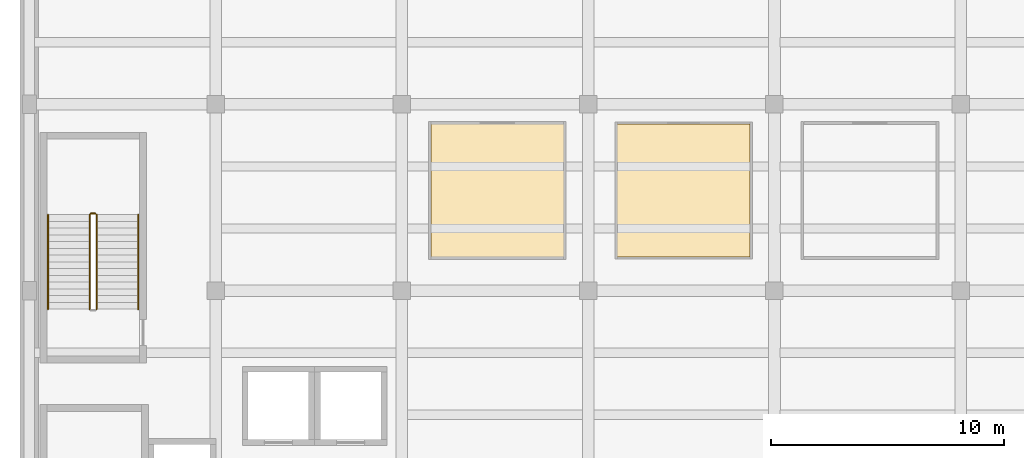
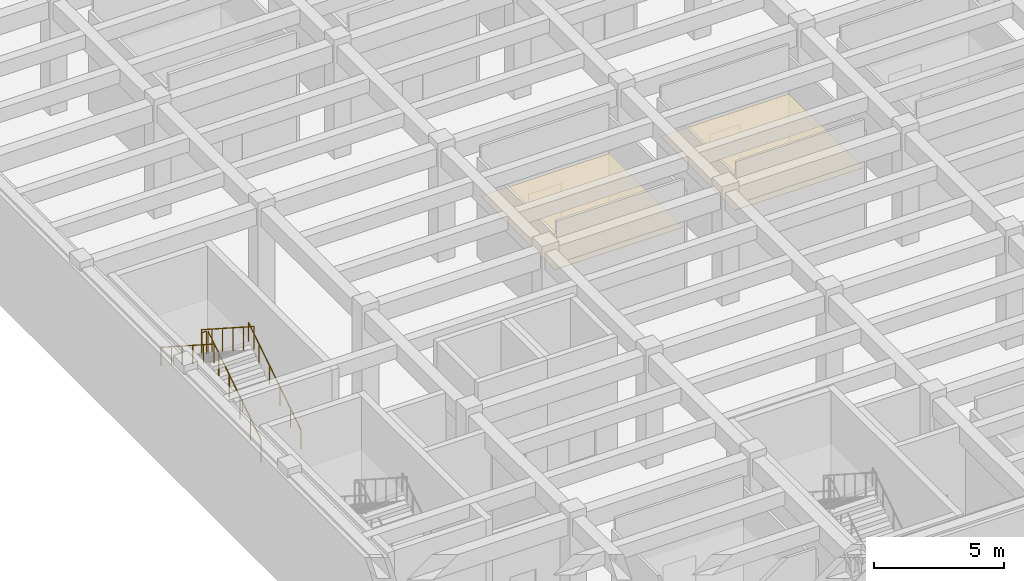
# One storey, part 13 of 19: 5 railings, 2 coverings.
"""IFC4 building model written with IfcOpenShell, lengths in metres."""

from ifc_helpers import new_model, si_unit, direction, frame, origin, origin_2d, place, context, subcontext, project, spatial, polyline, circle, outline, extrude, material, layer, layer_set, type_object, element, save


model = new_model("IFC4")

# Units and contexts
model_context = context("Model", 3, precision=1e-05, world=origin(), true_north=direction((0.0, 1.0)))
body_context = subcontext(model_context, "Body", "Model", "MODEL_VIEW")
ifc_project = project(units=[si_unit("LENGTHUNIT", "METRE"), si_unit("AREAUNIT", "SQUARE_METRE"), si_unit("VOLUMEUNIT", "CUBIC_METRE"), si_unit("PLANEANGLEUNIT", "RADIAN"), si_unit("MASSUNIT", "GRAM", prefix="KILO")], contexts=[model_context])

# Site, building, storey
site_placement = place(None, origin())
site = spatial("IfcSite", under=ifc_project, at=site_placement, CompositionType="ELEMENT")
building_placement = place(site_placement, origin())
building = spatial("IfcBuilding", under=site, at=building_placement, Name="Drelvath Fold Interchange", CompositionType="ELEMENT")
storey_placement = place(building_placement, frame((0.0, 0.0, -5.60009765625)))
storey = spatial("IfcBuildingStorey", under=building, at=storey_placement, Name="B1", CompositionType="ELEMENT", Elevation=-5.60009765625)

# Coverings
ifc_material_1 = material(Name="Perforated Aluminium Acoustic Ceiling", Category="aluminium")
ifc_layer = layer(ifc_material_1, 0.01806640625, Name="Perforated Aluminium Acoustic Ceiling")
ifc_layer_set = layer_set([ifc_layer], Name="Perforated Aluminium Acoustic Ceiling")
covering_type = type_object("IfcCoveringType", Name="CV-CEIL-AL18", PredefinedType="CEILING", material=ifc_layer_set)
covering_1_placement = place(storey_placement, frame((0.0, 0.0, 2.830078125)))
element("IfcCovering", 1, at=covering_1_placement, inside=storey, type_object=covering_type, Name="Mezzanine Convenience Retail Unit 1 acoustic ceiling", PredefinedType="CEILING", context=body_context, shape_type="SweptSolid", body=[
    extrude(outline(polyline([(21.2470703125, 28.447021484375), (26.952880859375, 28.447021484375), (26.952880859375, 34.153076171875), (21.2470703125, 34.153076171875), (21.2470703125, 28.447021484375)])), origin(), (0.0, 0.0, 1.0), 0.02001953125),
])
covering_2_placement = place(storey_placement, frame((0.0, 0.0, 2.830078125)))
element("IfcCovering", 2, at=covering_2_placement, inside=storey, type_object=covering_type, Name="Mezzanine Bakery and Coffee Kiosk acoustic ceiling", PredefinedType="CEILING", context=body_context, shape_type="SweptSolid", body=[
    extrude(outline(polyline([(29.239990234375, 28.43994140625), (34.9599609375, 28.43994140625), (34.9599609375, 34.159912109375), (29.239990234375, 34.159912109375), (29.239990234375, 28.43994140625)])), origin(), (0.0, 0.0, 1.0), 0.02001953125),
])

# Railings
ifc_material_2 = material(Name="Stainless Steel 316L", Category="steel")
railing_type_1 = type_object("IfcRailingType", Name="RL-GRD1100", PredefinedType="GUARDRAIL", material=ifc_material_2)
railing_1_placement = place(storey_placement, frame((6.889892578125, 26.199951171875, 0.186767578125)))
element("IfcRailing", 3, at=railing_1_placement, inside=storey, type_object=railing_type_1, Name="B1 ST-02 stair guard 1", PredefinedType="GUARDRAIL", context=body_context, shape_type="SweptSolid", body=[
    extrude(circle(Radius=0.02392578125, at=origin_2d()), frame((0.0, 0.0, 1.076171875), z_axis=(0.0, 0.840872768958, 0.541232839382), x_axis=(-1.0, 0.0, 0.0)), (0.0, 0.0, 1.0), 4.828369140625),
    extrude(circle(Radius=0.02099609375, at=origin_2d()), origin(), (0.0, 0.0, 1.0), 1.052001953125),
    extrude(circle(Radius=0.02099609375, at=origin_2d()), frame((0.0, 0.81201171875, 0.522705078125)), (0.0, 0.0, 1.0), 1.052001953125),
    extrude(circle(Radius=0.02099609375, at=origin_2d()), frame((0.0, 1.6240234375, 1.04541015625)), (0.0, 0.0, 1.0), 1.052001953125),
    extrude(circle(Radius=0.02099609375, at=origin_2d()), frame((0.0, 2.43603515625, 1.56787109375)), (0.0, 0.0, 1.0), 1.052001953125),
    extrude(circle(Radius=0.02099609375, at=origin_2d()), frame((0.0, 3.248046875, 2.090576171875)), (0.0, 0.0, 1.0), 1.052001953125),
    extrude(circle(Radius=0.02099609375, at=origin_2d()), frame((0.0, 4.06005859375, 2.61328125)), (0.0, 0.0, 1.0), 1.052001953125),
])
railing_2_placement = place(storey_placement, frame((6.840087890625, 30.31005859375, 2.800048828125)))
element("IfcRailing", 4, at=railing_2_placement, inside=storey, type_object=railing_type_1, Name="B1 ST-02 stair guard 2", PredefinedType="GUARDRAIL", context=body_context, shape_type="SweptSolid", body=[
    extrude(circle(Radius=0.02392578125, at=origin_2d()), frame((0.0, 0.0, 1.076171875), z_axis=(-1.0, 0.0, 0.0), x_axis=(0.0, -1.0, 0.0)), (0.0, 0.0, 1.0), 0.2001953125),
    extrude(circle(Radius=0.02099609375, at=origin_2d()), origin(), (0.0, 0.0, 1.0), 1.052001953125),
    extrude(circle(Radius=0.02099609375, at=origin_2d()), frame((-0.2001953125, 0.0, 0.0)), (0.0, 0.0, 1.0), 1.052001953125),
])
railing_3_placement = place(storey_placement, frame((6.590087890625, 30.260009765625, 2.98681640625)))
element("IfcRailing", 5, at=railing_3_placement, inside=storey, type_object=railing_type_1, Name="B1 ST-02 stair guard 3", PredefinedType="GUARDRAIL", context=body_context, shape_type="SweptSolid", body=[
    extrude(circle(Radius=0.02392578125, at=origin_2d()), frame((0.0, 0.0, 1.076171875), z_axis=(0.0, -0.840872768958, 0.541232839382), x_axis=(1.0, 0.0, 0.0)), (0.0, 0.0, 1.0), 4.828369140625),
    extrude(circle(Radius=0.02099609375, at=origin_2d()), origin(), (0.0, 0.0, 1.0), 1.052001953125),
    extrude(circle(Radius=0.02099609375, at=origin_2d()), frame((0.0, -0.81201171875, 0.522705078125)), (0.0, 0.0, 1.0), 1.052001953125),
    extrude(circle(Radius=0.02099609375, at=origin_2d()), frame((0.0, -1.6240234375, 1.04541015625)), (0.0, 0.0, 1.0), 1.052001953125),
    extrude(circle(Radius=0.02099609375, at=origin_2d()), frame((0.0, -2.43603515625, 1.56787109375)), (0.0, 0.0, 1.0), 1.052001953125),
    extrude(circle(Radius=0.02099609375, at=origin_2d()), frame((0.0, -3.248046875, 2.090576171875)), (0.0, 0.0, 1.0), 1.052001953125),
    extrude(circle(Radius=0.02099609375, at=origin_2d()), frame((0.0, -4.06005859375, 2.61328125)), (0.0, 0.0, 1.0), 1.052001953125),
])
railing_type_2 = type_object("IfcRailingType", Name="RL-HND920", PredefinedType="HANDRAIL", material=ifc_material_2)
railing_4_placement = place(storey_placement, frame((8.679931640625, 26.199951171875, 0.186767578125)))
element("IfcRailing", 6, at=railing_4_placement, inside=storey, type_object=railing_type_2, Name="B1 ST-02 stair handrail 1", PredefinedType="HANDRAIL", context=body_context, shape_type="SweptSolid", body=[
    extrude(circle(Radius=0.02392578125, at=origin_2d()), frame((0.0, 0.0, 0.8759765625), z_axis=(0.0, 0.840872768958, 0.541232839382), x_axis=(-1.0, 0.0, 0.0)), (0.0, 0.0, 1.0), 4.828369140625),
    extrude(circle(Radius=0.02099609375, at=origin_2d()), origin(), (0.0, 0.0, 1.0), 0.851806640625),
    extrude(circle(Radius=0.02099609375, at=origin_2d()), frame((0.0, 0.81201171875, 0.522705078125)), (0.0, 0.0, 1.0), 0.851806640625),
    extrude(circle(Radius=0.02099609375, at=origin_2d()), frame((0.0, 1.6240234375, 1.04541015625)), (0.0, 0.0, 1.0), 0.851806640625),
    extrude(circle(Radius=0.02099609375, at=origin_2d()), frame((0.0, 2.43603515625, 1.56787109375)), (0.0, 0.0, 1.0), 0.851806640625),
    extrude(circle(Radius=0.02099609375, at=origin_2d()), frame((0.0, 3.248046875, 2.090576171875)), (0.0, 0.0, 1.0), 0.851806640625),
    extrude(circle(Radius=0.02099609375, at=origin_2d()), frame((0.0, 4.06005859375, 2.61328125)), (0.0, 0.0, 1.0), 0.851806640625),
])
railing_5_placement = place(storey_placement, frame((4.800048828125, 30.260009765625, 2.98681640625)))
element("IfcRailing", 7, at=railing_5_placement, inside=storey, type_object=railing_type_2, Name="B1 ST-02 stair handrail 2", PredefinedType="HANDRAIL", context=body_context, shape_type="SweptSolid", body=[
    extrude(circle(Radius=0.02392578125, at=origin_2d()), frame((0.0, 0.0, 0.8759765625), z_axis=(0.0, -0.840872768958, 0.541232839382), x_axis=(1.0, 0.0, 0.0)), (0.0, 0.0, 1.0), 4.828369140625),
    extrude(circle(Radius=0.02099609375, at=origin_2d()), origin(), (0.0, 0.0, 1.0), 0.851806640625),
    extrude(circle(Radius=0.02099609375, at=origin_2d()), frame((0.0, -0.81201171875, 0.522705078125)), (0.0, 0.0, 1.0), 0.851806640625),
    extrude(circle(Radius=0.02099609375, at=origin_2d()), frame((0.0, -1.6240234375, 1.04541015625)), (0.0, 0.0, 1.0), 0.851806640625),
    extrude(circle(Radius=0.02099609375, at=origin_2d()), frame((0.0, -2.43603515625, 1.56787109375)), (0.0, 0.0, 1.0), 0.851806640625),
    extrude(circle(Radius=0.02099609375, at=origin_2d()), frame((0.0, -3.248046875, 2.090576171875)), (0.0, 0.0, 1.0), 0.851806640625),
    extrude(circle(Radius=0.02099609375, at=origin_2d()), frame((0.0, -4.06005859375, 2.61328125)), (0.0, 0.0, 1.0), 0.851806640625),
])

save(model, "model.ifc")
